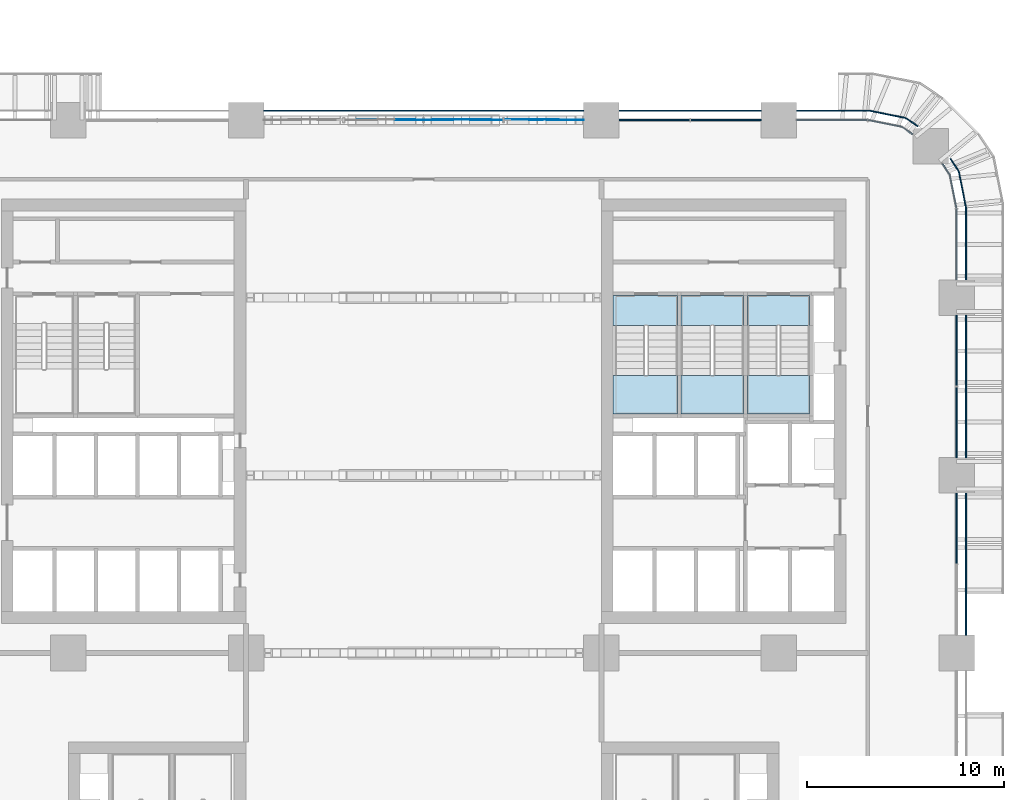
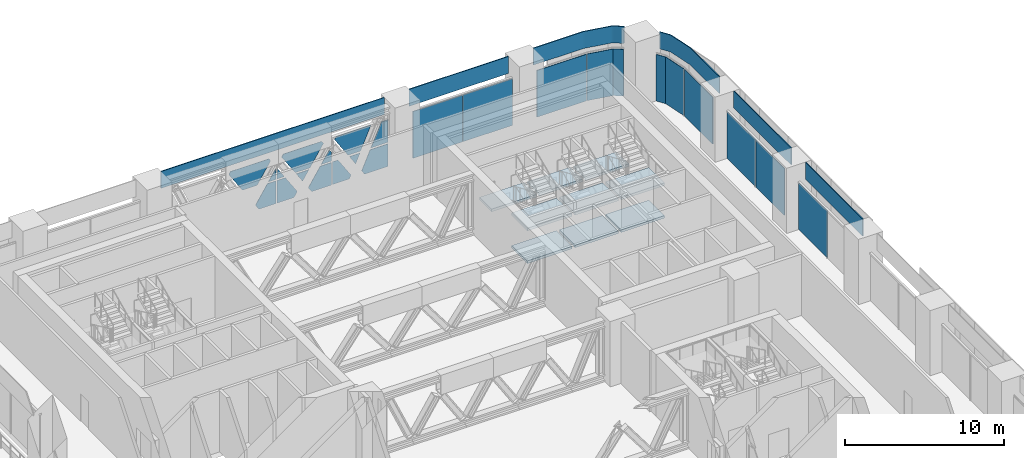
# One storey, part 17 of 35: 29 plates, 9 slabs, 9 elements without a shape of their own.
"""IFC4 building model written with IfcOpenShell, lengths in metres."""

import ifcopenshell
import ifcopenshell.guid

model = None  # the IFC model being written
_history = None  # IfcOwnerHistory: only IFC2X3 demands one
_inside = {}  # id of a spatial element -> (the spatial element, [elements in it])
_under = {}  # id of a project, library or spatial element -> (it, [spatial elements below it])
_declared = {}  # id of a project -> (the project, [libraries it declares])
_typed = {}  # id of a type object -> (the type object, [elements of that type])
_made_of = {}  # id of a material, layer set ... -> (it, [elements and type objects made of it])


def new_model(schema):
    """Start an empty IFC model of exactly this schema.

    Asked for "IFC4X3", IfcOpenShell would pick the latest addendum, in which some entities
    have other attributes; the version numbers below select the first issue.
    IFC2X3 requires an IfcOwnerHistory on every rooted entity: one is made here for all.
    """
    global model, _history
    if schema == "IFC4X3":
        model = ifcopenshell.file(schema_version=(4, 3, 0, 0))
    else:
        model = ifcopenshell.file(schema=schema)
    _inside.clear()
    _under.clear()
    _declared.clear()
    _typed.clear()
    _made_of.clear()
    _history = None
    if model.schema == "IFC2X3":
        org = make("IfcOrganization", Name="unknown")
        user = make(
            "IfcPersonAndOrganization",
            ThePerson=make("IfcPerson", FamilyName="unknown"),
            TheOrganization=org,
        )
        app = make(
            "IfcApplication",
            ApplicationDeveloper=org,
            Version="unknown",
            ApplicationFullName="unknown",
            ApplicationIdentifier="unknown",
        )
        _history = make(
            "IfcOwnerHistory",
            OwningUser=user,
            OwningApplication=app,
            ChangeAction="ADDED",
            CreationDate=0,
        )
    return model


def make(cls, **values):
    """One entity of the class cls with the attributes given. An attribute that is None is left unset."""
    return model.create_entity(
        cls, **{name: value for name, value in values.items() if value is not None}
    )


def rooted(cls, **values):
    """An entity with a GlobalId (a new one), such as an element, a storey or a relation."""
    return make(cls, GlobalId=ifcopenshell.guid.new(), OwnerHistory=_history, **values)


def si_unit(unit_type, name, prefix=None):
    """IfcSIUnit, for example si_unit("LENGTHUNIT", "METRE", prefix="MILLI")."""
    return make("IfcSIUnit", UnitType=unit_type, Prefix=prefix, Name=name)


def assignment(units):
    """IfcUnitAssignment: the units of a project."""
    return None if units is None else make("IfcUnitAssignment", Units=units)


def point(xyz):
    """IfcCartesianPoint."""
    return None if xyz is None else make("IfcCartesianPoint", Coordinates=xyz)


def direction(xyz):
    """IfcDirection."""
    return None if xyz is None else make("IfcDirection", DirectionRatios=xyz)


def frame(location, z_axis=None, x_axis=None):
    """IfcAxis2Placement3D, a coordinate frame: its origin and axes. An axis left out is left unset."""
    return make(
        "IfcAxis2Placement3D",
        Location=point(location),
        Axis=direction(z_axis),
        RefDirection=direction(x_axis),
    )


def frame_2d(location, x_axis=None):
    """IfcAxis2Placement2D, a coordinate frame in the plane: its origin and x axis."""
    return make(
        "IfcAxis2Placement2D", Location=point(location), RefDirection=direction(x_axis)
    )


def origin():
    """The frame at (0, 0, 0) with its axes left unset."""
    return frame((0.0, 0.0, 0.0))


def origin_2d():
    """The frame at (0, 0) in the plane with its x axis left unset."""
    return frame_2d((0.0, 0.0))


def place(relative_to, where):
    """IfcLocalPlacement: puts the frame where relative to a parent placement (None: the world)."""
    return make(
        "IfcLocalPlacement", PlacementRelTo=relative_to, RelativePlacement=where
    )


def context(
    kind, dimensions, precision=None, world=None, true_north=None, identifier=None
):
    """IfcGeometricRepresentationContext, for example the 3D "Model" context."""
    return make(
        "IfcGeometricRepresentationContext",
        ContextIdentifier=identifier,
        ContextType=kind,
        CoordinateSpaceDimension=dimensions,
        Precision=precision,
        WorldCoordinateSystem=world,
        TrueNorth=true_north,
    )


def subcontext(parent, identifier, kind, view, scale=None):
    """IfcGeometricRepresentationSubContext, for example "Body" below "Model"."""
    return make(
        "IfcGeometricRepresentationSubContext",
        ContextIdentifier=identifier,
        ContextType=kind,
        ParentContext=parent,
        TargetScale=scale,
        TargetView=view,
    )


def project(units=None, contexts=None):
    """IfcProject with its units and contexts."""
    return rooted(
        "IfcProject",
        Name="project",
        RepresentationContexts=contexts,
        UnitsInContext=assignment(units),
    )


def spatial(cls, under=None, at=None, **own):
    """A site, building, storey or space (cls), placed at a placement, below another one or the project."""
    s = rooted(cls, ObjectPlacement=at, **own)
    if under is not None:
        _under.setdefault(under.id(), (under, []))[1].append(s)
    return s


def polyline(points):
    """IfcPolyline through the points."""
    return make("IfcPolyline", Points=[point(p) for p in points])


def profile(cls, at=None, kind="AREA", **sizes):
    """A parametric profile (cls). Its sizes go by their IFC names, for example OverallWidth=200.0."""
    return make(cls, ProfileType=kind, Position=at, **sizes)


def rectangle(**sizes):
    """IfcRectangleProfileDef."""
    return profile("IfcRectangleProfileDef", **sizes)


def outline(outer, holes=None, kind="AREA"):
    """IfcArbitraryClosedProfileDef: a profile drawn as a closed curve; with holes, ...WithVoids."""
    if holes is None:
        return make("IfcArbitraryClosedProfileDef", ProfileType=kind, OuterCurve=outer)
    return make(
        "IfcArbitraryProfileDefWithVoids",
        ProfileType=kind,
        OuterCurve=outer,
        InnerCurves=holes,
    )


def extrude(swept, where, along, depth):
    """IfcExtrudedAreaSolid: the profile swept, set in the frame where, extruded along a direction by depth."""
    return make(
        "IfcExtrudedAreaSolid",
        SweptArea=swept,
        Position=where,
        ExtrudedDirection=direction(along),
        Depth=depth,
    )


def shape(context_of_items, identifier, shape_type, items):
    """IfcShapeRepresentation: the items that make up one representation, for example the "Body"."""
    return make(
        "IfcShapeRepresentation",
        ContextOfItems=context_of_items,
        RepresentationIdentifier=identifier,
        RepresentationType=shape_type,
        Items=items,
    )


def material(Name=None, Category=None):
    """IfcMaterial."""
    return make("IfcMaterial", Name=Name, Category=Category)


def layer(
    of_material, thickness, ventilated=None, Name=None, Category=None, Priority=None
):
    """IfcMaterialLayer: one layer of a wall or slab, of a material (None: an air gap)."""
    return make(
        "IfcMaterialLayer",
        Material=of_material,
        LayerThickness=thickness,
        IsVentilated=ventilated,
        Name=Name,
        Category=Category,
        Priority=Priority,
    )


def layer_set(layers, Name=None):
    """IfcMaterialLayerSet."""
    return make("IfcMaterialLayerSet", MaterialLayers=layers, LayerSetName=Name)


def made_of(thing, what):
    """Note that an element or type object is made of a material, layer set ...; save() writes the relation."""
    if what is not None:
        _made_of.setdefault(what.id(), (what, []))[1].append(thing)
    return thing


def type_object(cls, material=None, **own):
    """A type object (cls), such as IfcWallType, which elements share."""
    return made_of(rooted(cls, **own), material)


def element(
    cls,
    number,
    at=None,
    inside=None,
    cuts=None,
    type_object=None,
    material=None,
    context=None,
    identifier="Body",
    shape_type=None,
    held_by="IfcProductDefinitionShape",
    body=None,
    shapes=None,
    **own,
):
    """One element of the class cls, such as IfcWall. Its Tag is "e" and its number.

    at: its placement. inside: the storey or other place that contains it. cuts: it is an
    opening in that element (IfcRelVoidsElement). A single representation is given by context,
    identifier, shape_type and body (its items); several are given by shapes. held_by: the class
    of the entity that holds the representations. save() writes the other relations.
    """
    e = rooted(cls, Tag="e%d" % number, ObjectPlacement=at, **own)
    if body is not None:
        shapes = [shape(context, identifier, shape_type, body)]
    if shapes is not None:
        e.Representation = make(held_by, Representations=shapes)
    if inside is not None:
        _inside.setdefault(inside.id(), (inside, []))[1].append(e)
    if cuts is not None:
        rooted(
            "IfcRelVoidsElement", RelatingBuildingElement=cuts, RelatedOpeningElement=e
        )
    if type_object is not None:
        _typed.setdefault(type_object.id(), (type_object, []))[1].append(e)
    return made_of(e, material)


def aggregate(whole, parts):
    """IfcRelAggregates: a whole, such as a stair, and the parts it consists of."""
    return rooted("IfcRelAggregates", RelatingObject=whole, RelatedObjects=parts)


def save(model, path):
    """Write the relations noted so far, then the file.

    IfcRelAggregates (storeys below a building ...), IfcRelContainedInSpatialStructure (elements
    in a storey), IfcRelDefinesByType, IfcRelAssociatesMaterial and IfcRelDeclares: one each for
    every whole, place, type object, material and project.
    """
    for whole, parts in _under.values():
        aggregate(whole, parts)
    for where, things in _inside.values():
        rooted(
            "IfcRelContainedInSpatialStructure",
            RelatedElements=things,
            RelatingStructure=where,
        )
    for kind, things in _typed.values():
        rooted("IfcRelDefinesByType", RelatedObjects=things, RelatingType=kind)
    for what, things in _made_of.values():
        rooted("IfcRelAssociatesMaterial", RelatedObjects=things, RelatingMaterial=what)
    for by, libraries in _declared.values():
        rooted("IfcRelDeclares", RelatingContext=by, RelatedDefinitions=libraries)
    model.write(path)


model = new_model("IFC4")

# Units and contexts
model_context = context("Model", 3, precision=1e-05, world=origin(), true_north=direction((0.0, 1.0)))
body_context = subcontext(model_context, "Body", "Model", "MODEL_VIEW")
ifc_project = project(units=[si_unit("LENGTHUNIT", "METRE"), si_unit("AREAUNIT", "SQUARE_METRE"), si_unit("VOLUMEUNIT", "CUBIC_METRE"), si_unit("PLANEANGLEUNIT", "RADIAN"), si_unit("MASSUNIT", "GRAM", prefix="KILO")], contexts=[model_context])

# Site, building, storey
site_placement = place(None, origin())
site = spatial("IfcSite", under=ifc_project, at=site_placement, CompositionType="ELEMENT")
building_placement = place(site_placement, origin())
building = spatial("IfcBuilding", under=site, at=building_placement, Name="Tessera Arch", CompositionType="ELEMENT")
storey_placement = place(building_placement, frame((0.0, 0.0, 26.0)))
storey = spatial("IfcBuildingStorey", under=building, at=storey_placement, Name="L04", CompositionType="ELEMENT", Elevation=26.0)

# Curtain wall, plates
ifc_material_1 = material(Name="CW4 curtain wall")
curtain_wall_type_1 = type_object("IfcCurtainWallType", Name="CW4 curtain wall", PredefinedType="NOTDEFINED", material=ifc_material_1)
curtain_wall_1_placement = place(storey_placement, origin())
curtain_wall_1 = element("IfcCurtainWall", 1, at=curtain_wall_1_placement, inside=storey, type_object=curtain_wall_type_1, Name="CW4 curtain wall N54.0/2 L04", PredefinedType="NOTDEFINED")
ifc_material_2 = material(Name="Clear low-e glass", Category="glass")
ifc_layer_1 = layer(ifc_material_2, 0.028076171875)
ifc_layer_set_1 = layer_set([ifc_layer_1], Name="CW4 glass panel")
plate_type_1 = type_object("IfcPlateType", Name="CW4 glass panel", PredefinedType="CURTAIN_PANEL", material=ifc_layer_set_1)
plate_1_placement = place(storey_placement, frame((35.10009765625, 54.013916015625, 0.0), z_axis=(0.0, 1.0, 0.0), x_axis=(-1.0, 0.0, 0.0)))
plate_1 = element("IfcPlate", 2, at=plate_1_placement, type_object=plate_type_1, Name="CW4 fitted glass panel N54.0/2 1", PredefinedType="CURTAIN_PANEL", context=body_context, shape_type="SweptSolid", body=[
    extrude(outline(polyline([(0.0, 0.0), (1.706787109375, 0.0), (1.9150390625, 0.326171875), (1.297607421875, 1.72998046875), (0.0, 1.72998046875), (0.0, 0.0)])), origin(), (0.0, 0.0, -1.0), 0.028076171875),
])
plate_2_placement = place(storey_placement, frame((32.288818359375, 54.013916015625, 1.72998046875), z_axis=(0.0, 1.0, 0.0), x_axis=(1.0, 0.0, 0.0)))
plate_2 = element("IfcPlate", 3, at=plate_2_placement, type_object=plate_type_1, Name="CW4 fitted glass panel N54.0/2 2", PredefinedType="CURTAIN_PANEL", context=body_context, shape_type="SweptSolid", body=[
    extrude(outline(polyline([(0.0, 0.0), (0.7783203125, 0.0), (0.4609375, 0.721923828125), (0.0, 0.0)])), origin(), (0.0, 0.0, -1.0), 0.028076171875),
])
plate_3_placement = place(storey_placement, frame((31.090087890625, 54.0419921875, 1.72998046875), z_axis=(0.0, 1.0, 0.0), x_axis=(1.0, 0.0, 0.0)))
plate_3 = element("IfcPlate", 4, at=plate_3_placement, type_object=plate_type_1, Name="CW4 fitted glass panel N54.0/2 3", PredefinedType="CURTAIN_PANEL", context=body_context, shape_type="SweptSolid", body=[
    extrude(outline(polyline([(0.0, 0.0), (0.400146484375, 0.0), (1.333984375, 1.462646484375), (1.21630859375, 1.72998046875), (0.0, 1.72998046875), (0.0, 0.0)])), origin(), (0.0, 0.0, -1.0), 0.028076171875),
])
plate_4_placement = place(storey_placement, frame((35.10009765625, 54.013916015625, 1.85009765625), z_axis=(0.0, 1.0, 0.0), x_axis=(-1.0, 0.0, 0.0)))
plate_4 = element("IfcPlate", 5, at=plate_4_placement, type_object=plate_type_1, Name="CW4 fitted glass panel N54.0/2 4", PredefinedType="CURTAIN_PANEL", context=body_context, shape_type="SweptSolid", body=[
    extrude(outline(polyline([(0.0, 0.0), (1.244873046875, 0.0), (0.484375, 1.72998046875), (0.0, 1.72998046875), (0.0, 0.0)])), origin(), (0.0, 0.0, -1.0), 0.028076171875),
])
plate_5_placement = place(storey_placement, frame((31.356201171875, 54.0419921875, 3.580078125), z_axis=(0.0, 1.0, 0.0), x_axis=(1.0, 0.0, 0.0)))
plate_5 = element("IfcPlate", 6, at=plate_5_placement, type_object=plate_type_1, Name="CW4 fitted glass panel N54.0/2 5", PredefinedType="CURTAIN_PANEL", context=body_context, shape_type="SweptSolid", body=[
    extrude(outline(polyline([(0.0, 0.0), (2.5244140625, 0.0), (1.763671875, 1.72998046875), (0.85595703125, 1.72998046875), (-0.124267578125, 0.194580078125), (0.0, 0.0)])), origin(), (0.0, 0.0, -1.0), 0.028076171875),
])
plate_6_placement = place(storey_placement, frame((31.010009765625, 54.013916015625, 0.0), z_axis=(0.0, 1.0, 0.0), x_axis=(-1.0, 0.0, 0.0)))
plate_6 = element("IfcPlate", 7, at=plate_6_placement, type_object=plate_type_1, Name="CW4 fitted glass panel N54.0/2 7", PredefinedType="CURTAIN_PANEL", context=body_context, shape_type="SweptSolid", body=[
    extrude(outline(polyline([(0.0, 0.0), (1.449462890625, 0.0), (1.6943359375, 0.383544921875), (0.834716796875, 1.72998046875), (0.0, 1.72998046875), (0.0, 0.0)])), origin(), (0.0, 0.0, -1.0), 0.028076171875),
])
plate_7_placement = place(storey_placement, frame((28.4560546875, 54.0419921875, 1.72998046875), z_axis=(0.0, 1.0, 0.0), x_axis=(1.0, 0.0, 0.0)))
plate_7 = element("IfcPlate", 8, at=plate_7_placement, type_object=plate_type_1, Name="CW4 fitted glass panel N54.0/2 8", PredefinedType="CURTAIN_PANEL", context=body_context, shape_type="SweptSolid", body=[
    extrude(outline(polyline([(0.0, 0.0), (0.920654296875, 0.0), (0.46044921875, 0.720947265625), (0.0, 0.0)])), origin(), (0.0, 0.0, -1.0), 0.028076171875),
])
plate_8_placement = place(storey_placement, frame((27.0400390625, 54.013916015625, 1.72998046875), z_axis=(0.0, 1.0, 0.0), x_axis=(1.0, 0.0, 0.0)))
plate_8 = element("IfcPlate", 9, at=plate_8_placement, type_object=plate_type_1, Name="CW4 fitted glass panel N54.0/2 9", PredefinedType="CURTAIN_PANEL", context=body_context, shape_type="SweptSolid", body=[
    extrude(outline(polyline([(0.0, 0.0), (0.617431640625, 0.0), (1.47705078125, 1.346435546875), (1.232177734375, 1.72998046875), (0.0, 1.72998046875), (0.0, 0.0)])), origin(), (0.0, 0.0, -1.0), 0.028076171875),
])
plate_9_placement = place(storey_placement, frame((31.010009765625, 54.013916015625, 1.85009765625), z_axis=(0.0, 1.0, 0.0), x_axis=(-1.0, 0.0, 0.0)))
plate_9 = element("IfcPlate", 10, at=plate_9_placement, type_object=plate_type_1, Name="CW4 fitted glass panel N54.0/2 10", PredefinedType="CURTAIN_PANEL", context=body_context, shape_type="SweptSolid", body=[
    extrude(outline(polyline([(0.0, 0.0), (0.758056640625, 0.0), (0.17724609375, 0.909912109375), (0.0, 0.63232421875), (0.0, 0.0)])), origin(), (0.0, 0.0, -1.0), 0.028076171875),
])
plate_10_placement = place(storey_placement, frame((27.5234375, 54.0419921875, 3.580078125), z_axis=(0.0, 1.0, 0.0), x_axis=(1.0, 0.0, 0.0)))
plate_10 = element("IfcPlate", 11, at=plate_10_placement, type_object=plate_type_1, Name="CW4 fitted glass panel N54.0/2 11", PredefinedType="CURTAIN_PANEL", context=body_context, shape_type="SweptSolid", body=[
    extrude(outline(polyline([(0.0, 0.0), (2.785888671875, 0.0), (2.91015625, 0.194580078125), (1.929931640625, 1.72998046875), (0.85595703125, 1.72998046875), (-0.124267578125, 0.194580078125), (0.0, 0.0)])), origin(), (0.0, 0.0, -1.0), 0.028076171875),
])
plate_11_placement = place(storey_placement, frame((27.0400390625, 54.013916015625, 1.85009765625), z_axis=(0.0, 1.0, 0.0), x_axis=(0.0, 0.0, 1.0)))
plate_11 = element("IfcPlate", 12, at=plate_11_placement, type_object=plate_type_1, Name="CW4 fitted glass panel N54.0/2 12", PredefinedType="CURTAIN_PANEL", context=body_context, shape_type="SweptSolid", body=[
    extrude(outline(polyline([(0.0, 0.0), (0.84716796875, 0.0), (0.0, 0.541015625), (0.0, 0.0)])), origin(), (0.0, 0.0, -1.0), 0.028076171875),
])
plate_12_placement = place(storey_placement, frame((26.9599609375, 54.013916015625, 0.0), z_axis=(0.0, 1.0, 0.0), x_axis=(-1.0, 0.0, 0.0)))
plate_12 = element("IfcPlate", 13, at=plate_12_placement, type_object=plate_type_1, Name="CW4 fitted glass panel N54.0/2 13", PredefinedType="CURTAIN_PANEL", context=body_context, shape_type="SweptSolid", body=[
    extrude(outline(polyline([(0.0, 0.0), (1.232177734375, 0.0), (1.47705078125, 0.383544921875), (0.617431640625, 1.72998046875), (0.0, 1.72998046875), (0.0, 0.0)])), origin(), (0.0, 0.0, -1.0), 0.028076171875),
])
plate_13_placement = place(storey_placement, frame((26.9599609375, 54.013916015625, 1.85009765625), z_axis=(0.0, 1.0, 0.0), x_axis=(-1.0, 0.0, 0.0)))
plate_13 = element("IfcPlate", 14, at=plate_13_placement, type_object=plate_type_1, Name="CW4 fitted glass panel N54.0/2 16", PredefinedType="CURTAIN_PANEL", context=body_context, shape_type="SweptSolid", body=[
    extrude(outline(polyline([(0.0, 0.0), (0.541015625, 0.0), (0.0, 0.84716796875), (0.0, 0.0)])), origin(), (0.0, 0.0, -1.0), 0.028076171875),
])
plate_14_placement = place(storey_placement, frame((23.690673828125, 54.0419921875, 3.580078125), z_axis=(0.0, 1.0, 0.0), x_axis=(1.0, 0.0, 0.0)))
plate_14 = element("IfcPlate", 15, at=plate_14_placement, type_object=plate_type_1, Name="CW4 fitted glass panel N54.0/2 17", PredefinedType="CURTAIN_PANEL", context=body_context, shape_type="SweptSolid", body=[
    extrude(outline(polyline([(0.0, 0.0), (2.785888671875, 0.0), (2.91015625, 0.194580078125), (1.929931640625, 1.72998046875), (0.85595703125, 1.72998046875), (-0.124267578125, 0.194580078125), (0.0, 0.0)])), origin(), (0.0, 0.0, -1.0), 0.028076171875),
])
ifc_material_3 = material(Name="Pale anodised aluminium panel", Category="aluminium")
ifc_layer_2 = layer(ifc_material_3, 0.06005859375)
ifc_layer_set_2 = layer_set([ifc_layer_2], Name="CW4 spandrel panel")
plate_type_2 = type_object("IfcPlateType", Name="CW4 spandrel panel", PredefinedType="CURTAIN_PANEL", material=ifc_layer_set_2)
plate_15_placement = place(storey_placement, frame((27.0, 54.47998046875, 3.7001953125), z_axis=(0.0, 0.0, 1.0), x_axis=(-1.0, 0.0, 0.0)))
plate_15 = element("IfcPlate", 16, at=plate_15_placement, type_object=plate_type_2, Name="CW4 spandrel panel N54.0/2", PredefinedType="CURTAIN_PANEL", context=body_context, shape_type="SweptSolid", body=[
    extrude(rectangle(XDim=16.199951171875, YDim=0.06005859375, at=origin_2d()), origin(), (0.0, 0.0, 1.0), 1.300048828125),
])
aggregate(curtain_wall_1, [plate_1, plate_2, plate_3, plate_4, plate_5, plate_6, plate_7, plate_8, plate_9, plate_10, plate_11, plate_12, plate_13, plate_14, plate_15])

# Curtain wall, plate
ifc_material_4 = material(Name="CW7 curtain wall")
curtain_wall_type_2 = type_object("IfcCurtainWallType", Name="CW7 curtain wall", PredefinedType="NOTDEFINED", material=ifc_material_4)
curtain_wall_2_placement = place(storey_placement, origin())
curtain_wall_2 = element("IfcCurtainWall", 17, at=curtain_wall_2_placement, inside=storey, type_object=curtain_wall_type_2, Name="CW7 curtain wall E54.0/3 L04", PredefinedType="NOTDEFINED")
ifc_material_5 = material(Name="Pale anodised aluminium panel", Category="aluminium")
ifc_layer_3 = layer(ifc_material_5, 0.06005859375)
ifc_layer_set_3 = layer_set([ifc_layer_3], Name="CW7 plant wall panel")
plate_type_3 = type_object("IfcPlateType", Name="CW7 plant wall panel", PredefinedType="CURTAIN_PANEL", material=ifc_layer_set_3)
plate_16_placement = place(storey_placement, frame((54.0, 33.31494140625, 0.0), z_axis=(0.0, 0.0, 1.0), x_axis=(0.0, 1.0, 0.0)))
plate_16 = element("IfcPlate", 18, at=plate_16_placement, type_object=plate_type_3, Name="CW7 plant wall panel E54.0/3 1.2.1", PredefinedType="CURTAIN_PANEL", context=body_context, shape_type="SweptSolid", body=[
    extrude(rectangle(XDim=3.570068359375, YDim=0.06005859375, at=origin_2d()), origin(), (0.0, 0.0, 1.0), 3.580078125),
])

# Curtain wall, plates
curtain_wall_3_placement = place(storey_placement, origin())
curtain_wall_3 = element("IfcCurtainWall", 19, at=curtain_wall_3_placement, inside=storey, type_object=curtain_wall_type_2, Name="CW7 curtain wall E54.0/4 L04", PredefinedType="NOTDEFINED")
plate_17_placement = place(storey_placement, frame((54.0, 38.68505859375, 0.0), z_axis=(0.0, 0.0, 1.0), x_axis=(0.0, 1.0, 0.0)))
plate_17 = element("IfcPlate", 20, at=plate_17_placement, type_object=plate_type_3, Name="CW7 plant wall panel E54.0/4 1.1.1", PredefinedType="CURTAIN_PANEL", context=body_context, shape_type="SweptSolid", body=[
    extrude(rectangle(XDim=3.570068359375, YDim=0.06005859375, at=origin_2d()), origin(), (0.0, 0.0, 1.0), 3.580078125),
])
plate_18_placement = place(storey_placement, frame((54.0, 42.31494140625, 0.0), z_axis=(0.0, 0.0, 1.0), x_axis=(0.0, 1.0, 0.0)))
plate_18 = element("IfcPlate", 21, at=plate_18_placement, type_object=plate_type_3, Name="CW7 plant wall panel E54.0/4 1.2.1", PredefinedType="CURTAIN_PANEL", context=body_context, shape_type="SweptSolid", body=[
    extrude(rectangle(XDim=3.570068359375, YDim=0.06005859375, at=origin_2d()), origin(), (0.0, 0.0, 1.0), 3.580078125),
])

curtain_wall_4_placement = place(storey_placement, origin())
curtain_wall_4 = element("IfcCurtainWall", 22, at=curtain_wall_4_placement, inside=storey, type_object=curtain_wall_type_2, Name="CW7 curtain wall E54.0/5 L04", PredefinedType="NOTDEFINED")
plate_19_placement = place(storey_placement, frame((54.0, 47.68505859375, 0.0), z_axis=(0.0, 0.0, 1.0), x_axis=(0.0, 1.0, 0.0)))
plate_19 = element("IfcPlate", 23, at=plate_19_placement, type_object=plate_type_3, Name="CW7 plant wall panel E54.0/5 1.1", PredefinedType="CURTAIN_PANEL", context=body_context, shape_type="SweptSolid", body=[
    extrude(rectangle(XDim=3.570068359375, YDim=0.06005859375, at=origin_2d()), origin(), (0.0, 0.0, 1.0), 3.580078125),
])
plate_20_placement = place(storey_placement, origin())
plate_20 = element("IfcPlate", 24, at=plate_20_placement, type_object=plate_type_3, Name="CW7 curved plant wall panel E54.0/5 2.1", PredefinedType="CURTAIN_PANEL", context=body_context, shape_type="SweptSolid", body=[
    extrude(outline(polyline([(53.629150390625, 51.21044921875), (53.96484375, 49.523681640625), (54.023681640625, 49.53515625), (53.685791015625, 51.23388671875), (53.308349609375, 51.798583984375), (53.25830078125, 51.765380859375), (53.629150390625, 51.21044921875)])), origin(), (0.0, 0.0, 1.0), 3.580078125),
])

curtain_wall_5_placement = place(storey_placement, origin())
curtain_wall_5 = element("IfcCurtainWall", 25, at=curtain_wall_5_placement, inside=storey, type_object=curtain_wall_type_2, Name="CW7 curtain wall N54.0/0 L04", PredefinedType="NOTDEFINED")
plate_21_placement = place(storey_placement, frame((47.68505859375, 54.0, 0.0), z_axis=(0.0, 0.0, 1.0), x_axis=(-1.0, 0.0, 0.0)))
plate_21 = element("IfcPlate", 26, at=plate_21_placement, type_object=plate_type_3, Name="CW7 plant wall panel N54.0/0 1.1", PredefinedType="CURTAIN_PANEL", context=body_context, shape_type="SweptSolid", body=[
    extrude(rectangle(XDim=3.570068359375, YDim=0.06005859375, at=origin_2d()), origin(), (0.0, 0.0, 1.0), 3.580078125),
])
plate_22_placement = place(storey_placement, origin())
plate_22 = element("IfcPlate", 27, at=plate_22_placement, type_object=plate_type_3, Name="CW7 curved plant wall panel N54.0/0 2.1", PredefinedType="CURTAIN_PANEL", context=body_context, shape_type="SweptSolid", body=[
    extrude(outline(polyline([(51.21044921875, 53.629150390625), (51.765380859375, 53.25830078125), (51.798583984375, 53.308349609375), (51.23388671875, 53.685791015625), (49.53515625, 54.023681640625), (49.523681640625, 53.96484375), (51.21044921875, 53.629150390625)])), origin(), (0.0, 0.0, 1.0), 3.580078125),
])

curtain_wall_6_placement = place(storey_placement, origin())
curtain_wall_6 = element("IfcCurtainWall", 28, at=curtain_wall_6_placement, inside=storey, type_object=curtain_wall_type_2, Name="CW7 curtain wall N54.0/1 L04", PredefinedType="NOTDEFINED")
plate_23_placement = place(storey_placement, frame((42.31494140625, 54.0, 0.0), z_axis=(0.0, 0.0, 1.0), x_axis=(-1.0, 0.0, 0.0)))
plate_23 = element("IfcPlate", 29, at=plate_23_placement, type_object=plate_type_3, Name="CW7 plant wall panel N54.0/1 1.1.1", PredefinedType="CURTAIN_PANEL", context=body_context, shape_type="SweptSolid", body=[
    extrude(rectangle(XDim=3.570068359375, YDim=0.06005859375, at=origin_2d()), origin(), (0.0, 0.0, 1.0), 3.580078125),
])
plate_24_placement = place(storey_placement, frame((38.68505859375, 54.0, 0.0), z_axis=(0.0, 0.0, 1.0), x_axis=(-1.0, 0.0, 0.0)))
plate_24 = element("IfcPlate", 30, at=plate_24_placement, type_object=plate_type_3, Name="CW7 plant wall panel N54.0/1 1.2.1", PredefinedType="CURTAIN_PANEL", context=body_context, shape_type="SweptSolid", body=[
    extrude(rectangle(XDim=3.570068359375, YDim=0.06005859375, at=origin_2d()), origin(), (0.0, 0.0, 1.0), 3.580078125),
])

# Plate
ifc_material_6 = material(Name="Pale anodised aluminium panel", Category="aluminium")
ifc_layer_4 = layer(ifc_material_6, 0.06005859375)
ifc_layer_set_4 = layer_set([ifc_layer_4], Name="CW7 spandrel panel")
plate_type_4 = type_object("IfcPlateType", Name="CW7 spandrel panel", PredefinedType="CURTAIN_PANEL", material=ifc_layer_set_4)
plate_25_placement = place(storey_placement, frame((54.47998046875, 31.5, 3.7001953125), z_axis=(0.0, 0.0, 1.0), x_axis=(0.0, 1.0, 0.0)))
plate_25 = element("IfcPlate", 31, at=plate_25_placement, type_object=plate_type_4, Name="CW7 spandrel panel E54.0/3", PredefinedType="CURTAIN_PANEL", context=body_context, shape_type="SweptSolid", body=[
    extrude(rectangle(XDim=7.199951171875, YDim=0.06005859375, at=origin_2d()), origin(), (0.0, 0.0, 1.0), 1.300048828125),
])

aggregate(curtain_wall_2, [plate_16, plate_25])

plate_26_placement = place(storey_placement, frame((54.47998046875, 40.5, 3.7001953125), z_axis=(0.0, 0.0, 1.0), x_axis=(0.0, 1.0, 0.0)))
plate_26 = element("IfcPlate", 32, at=plate_26_placement, type_object=plate_type_4, Name="CW7 spandrel panel E54.0/4", PredefinedType="CURTAIN_PANEL", context=body_context, shape_type="SweptSolid", body=[
    extrude(rectangle(XDim=7.199951171875, YDim=0.06005859375, at=origin_2d()), origin(), (0.0, 0.0, 1.0), 1.300048828125),
])

aggregate(curtain_wall_3, [plate_17, plate_18, plate_26])

plate_27_placement = place(storey_placement, frame((0.0, 0.0, 3.699951171875)))
plate_27 = element("IfcPlate", 33, at=plate_27_placement, type_object=plate_type_4, Name="CW7 spandrel panel E54.0/5", PredefinedType="CURTAIN_PANEL", context=body_context, shape_type="SweptSolid", body=[
    extrude(outline(polyline([(54.449951171875, 49.499267578125), (54.449951171875, 45.89990234375), (54.510009765625, 45.89990234375), (54.510009765625, 49.500732421875), (54.507568359375, 49.550048828125), (54.500244140625, 49.598876953125), (54.157470703125, 51.322265625), (54.1455078125, 51.3701171875), (54.128662109375, 51.417236328125), (54.107177734375, 51.462646484375), (54.08203125, 51.5048828125), (53.707275390625, 52.0654296875), (53.657470703125, 52.031982421875), (54.03125, 51.47265625), (54.05419921875, 51.434326171875), (54.0732421875, 51.394287109375), (54.088134765625, 51.352783203125), (54.09912109375, 51.30908203125), (54.441162109375, 49.588623046875), (54.44775390625, 49.544189453125), (54.449951171875, 49.499267578125)])), origin(), (0.0, 0.0, 1.0), 1.300048828125),
])

aggregate(curtain_wall_4, [plate_19, plate_20, plate_27])

plate_28_placement = place(storey_placement, frame((0.0, 0.0, 3.699951171875)))
plate_28 = element("IfcPlate", 34, at=plate_28_placement, type_object=plate_type_4, Name="CW7 spandrel panel N54.0/0", PredefinedType="CURTAIN_PANEL", context=body_context, shape_type="SweptSolid", body=[
    extrude(outline(polyline([(51.47265625, 54.03125), (52.031982421875, 53.657470703125), (52.0654296875, 53.707275390625), (51.5048828125, 54.08203125), (51.462646484375, 54.107177734375), (51.417236328125, 54.128662109375), (51.3701171875, 54.1455078125), (51.322265625, 54.157470703125), (49.598876953125, 54.500244140625), (49.550048828125, 54.507568359375), (49.500732421875, 54.510009765625), (45.89990234375, 54.510009765625), (45.89990234375, 54.449951171875), (49.499267578125, 54.449951171875), (49.544189453125, 54.44775390625), (49.588623046875, 54.441162109375), (51.30908203125, 54.09912109375), (51.352783203125, 54.088134765625), (51.394287109375, 54.0732421875), (51.434326171875, 54.05419921875), (51.47265625, 54.03125)])), origin(), (0.0, 0.0, 1.0), 1.300048828125),
])

aggregate(curtain_wall_5, [plate_21, plate_22, plate_28])

plate_29_placement = place(storey_placement, frame((40.5, 54.47998046875, 3.7001953125), z_axis=(0.0, 0.0, 1.0), x_axis=(-1.0, 0.0, 0.0)))
plate_29 = element("IfcPlate", 35, at=plate_29_placement, type_object=plate_type_4, Name="CW7 spandrel panel N54.0/1", PredefinedType="CURTAIN_PANEL", context=body_context, shape_type="SweptSolid", body=[
    extrude(rectangle(XDim=7.199951171875, YDim=0.06005859375, at=origin_2d()), origin(), (0.0, 0.0, 1.0), 1.300048828125),
])

aggregate(curtain_wall_6, [plate_23, plate_24, plate_29])

# Stair, slabs
ifc_material_7 = material(Name="Concrete C40/50", Category="concrete")
stair_type = type_object("IfcStairType", Name="Dogleg stair 1520", PredefinedType="HALF_TURN_STAIR", material=ifc_material_7)
stair_1_placement = place(storey_placement, origin())
stair_1 = element("IfcStair", 36, at=stair_1_placement, inside=storey, type_object=stair_type, Name="L04 S1a", PredefinedType="HALF_TURN_STAIR")
ifc_material_8 = material(Name="Concrete C40/50", Category="concrete")
ifc_layer_5 = layer(ifc_material_8, 0.300048828125)
ifc_layer_set_5 = layer_set([ifc_layer_5], Name="Stair landing 300")
slab_type = type_object("IfcSlabType", Name="Stair landing 300", PredefinedType="LANDING", material=ifc_layer_set_5)
slab_1_placement = place(storey_placement, frame((0.0, 0.0, 1.050048828125)))
slab_1 = element("IfcSlab", 37, at=slab_1_placement, type_object=slab_type, Name="S1a landing 1", PredefinedType="LANDING", context=body_context, shape_type="SweptSolid", body=[
    extrude(outline(polyline([(36.60009765625, 41.06005859375), (36.60009765625, 39.10009765625), (39.85009765625, 39.10009765625), (39.85009765625, 41.06005859375), (36.60009765625, 41.06005859375)])), origin(), (0.0, 0.0, 1.0), 0.199951171875),
])
slab_2_placement = place(storey_placement, frame((0.0, 0.0, 2.300048828125)))
slab_2 = element("IfcSlab", 38, at=slab_2_placement, type_object=slab_type, Name="S1a landing 2", PredefinedType="LANDING", context=body_context, shape_type="SweptSolid", body=[
    extrude(outline(polyline([(36.60009765625, 45.10009765625), (36.60009765625, 43.580078125), (39.85009765625, 43.580078125), (39.85009765625, 45.10009765625), (36.60009765625, 45.10009765625)])), origin(), (0.0, 0.0, 1.0), 0.199951171875),
])
slab_3_placement = place(storey_placement, frame((0.0, 0.0, 3.550048828125)))
slab_3 = element("IfcSlab", 39, at=slab_3_placement, type_object=slab_type, Name="S1a landing 3", PredefinedType="LANDING", context=body_context, shape_type="SweptSolid", body=[
    extrude(outline(polyline([(36.60009765625, 41.06005859375), (36.60009765625, 39.10009765625), (39.85009765625, 39.10009765625), (39.85009765625, 41.06005859375), (36.60009765625, 41.06005859375)])), origin(), (0.0, 0.0, 1.0), 0.199951171875),
])
aggregate(stair_1, [slab_1, slab_2, slab_3])

stair_2_placement = place(storey_placement, origin())
stair_2 = element("IfcStair", 40, at=stair_2_placement, inside=storey, type_object=stair_type, Name="L04 S1b", PredefinedType="HALF_TURN_STAIR")
slab_4_placement = place(storey_placement, frame((0.0, 0.0, 1.050048828125)))
slab_4 = element("IfcSlab", 41, at=slab_4_placement, type_object=slab_type, Name="S1b landing 1", PredefinedType="LANDING", context=body_context, shape_type="SweptSolid", body=[
    extrude(outline(polyline([(40.050048828125, 41.06005859375), (40.050048828125, 39.10009765625), (43.199951171875, 39.10009765625), (43.199951171875, 41.06005859375), (40.050048828125, 41.06005859375)])), origin(), (0.0, 0.0, 1.0), 0.199951171875),
])
slab_5_placement = place(storey_placement, frame((0.0, 0.0, 2.300048828125)))
slab_5 = element("IfcSlab", 42, at=slab_5_placement, type_object=slab_type, Name="S1b landing 2", PredefinedType="LANDING", context=body_context, shape_type="SweptSolid", body=[
    extrude(outline(polyline([(40.050048828125, 45.10009765625), (40.050048828125, 43.580078125), (43.199951171875, 43.580078125), (43.199951171875, 45.10009765625), (40.050048828125, 45.10009765625)])), origin(), (0.0, 0.0, 1.0), 0.199951171875),
])
slab_6_placement = place(storey_placement, frame((0.0, 0.0, 3.550048828125)))
slab_6 = element("IfcSlab", 43, at=slab_6_placement, type_object=slab_type, Name="S1b landing 3", PredefinedType="LANDING", context=body_context, shape_type="SweptSolid", body=[
    extrude(outline(polyline([(40.050048828125, 41.06005859375), (40.050048828125, 39.10009765625), (43.199951171875, 39.10009765625), (43.199951171875, 41.06005859375), (40.050048828125, 41.06005859375)])), origin(), (0.0, 0.0, 1.0), 0.199951171875),
])
aggregate(stair_2, [slab_4, slab_5, slab_6])

stair_3_placement = place(storey_placement, origin())
stair_3 = element("IfcStair", 44, at=stair_3_placement, inside=storey, type_object=stair_type, Name="L04 S1c", PredefinedType="HALF_TURN_STAIR")
slab_7_placement = place(storey_placement, frame((0.0, 0.0, 1.050048828125)))
slab_7 = element("IfcSlab", 45, at=slab_7_placement, type_object=slab_type, Name="S1c landing 1", PredefinedType="LANDING", context=body_context, shape_type="SweptSolid", body=[
    extrude(outline(polyline([(43.39990234375, 41.06005859375), (43.39990234375, 39.10009765625), (46.550048828125, 39.10009765625), (46.550048828125, 41.06005859375), (43.39990234375, 41.06005859375)])), origin(), (0.0, 0.0, 1.0), 0.199951171875),
])
slab_8_placement = place(storey_placement, frame((0.0, 0.0, 2.300048828125)))
slab_8 = element("IfcSlab", 46, at=slab_8_placement, type_object=slab_type, Name="S1c landing 2", PredefinedType="LANDING", context=body_context, shape_type="SweptSolid", body=[
    extrude(outline(polyline([(43.39990234375, 45.10009765625), (43.39990234375, 43.580078125), (46.550048828125, 43.580078125), (46.550048828125, 45.10009765625), (43.39990234375, 45.10009765625)])), origin(), (0.0, 0.0, 1.0), 0.199951171875),
])
slab_9_placement = place(storey_placement, frame((0.0, 0.0, 3.550048828125)))
slab_9 = element("IfcSlab", 47, at=slab_9_placement, type_object=slab_type, Name="S1c landing 3", PredefinedType="LANDING", context=body_context, shape_type="SweptSolid", body=[
    extrude(outline(polyline([(43.39990234375, 41.06005859375), (43.39990234375, 39.10009765625), (46.550048828125, 39.10009765625), (46.550048828125, 41.06005859375), (43.39990234375, 41.06005859375)])), origin(), (0.0, 0.0, 1.0), 0.199951171875),
])
aggregate(stair_3, [slab_7, slab_8, slab_9])

save(model, "model.ifc")
